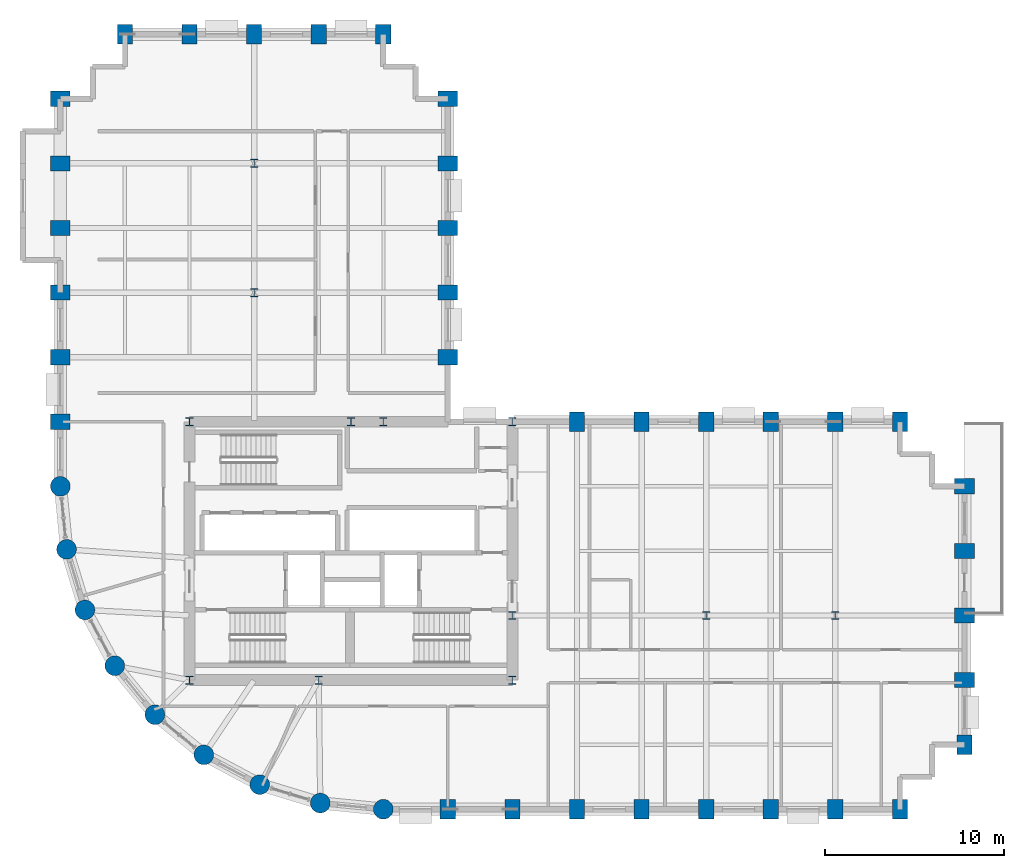
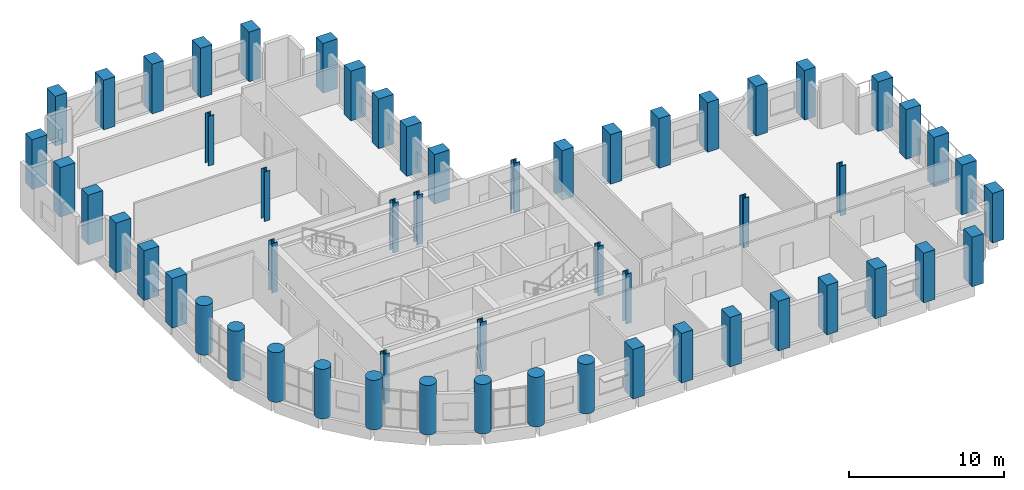
# One storey, part 1 of 13: 56 columns.
"""IFC4 building model written with IfcOpenShell, lengths in metres."""

from ifc_helpers import new_model, si_unit, direction, frame, origin, origin_2d, place, context, subcontext, project, spatial, rectangle, circle, i_section, extrude, material, material_profile, profile_set, type_object, element, save


model = new_model("IFC4")

# Units and contexts
model_context = context("Model", 3, precision=1e-05, world=origin(), true_north=direction((0.0, 1.0)))
body_context = subcontext(model_context, "Body", "Model", "MODEL_VIEW")
ifc_project = project(units=[si_unit("LENGTHUNIT", "METRE"), si_unit("AREAUNIT", "SQUARE_METRE"), si_unit("VOLUMEUNIT", "CUBIC_METRE"), si_unit("PLANEANGLEUNIT", "RADIAN"), si_unit("MASSUNIT", "GRAM", prefix="KILO")], contexts=[model_context])

# Site, building, storey
site_placement = place(None, origin())
site = spatial("IfcSite", under=ifc_project, at=site_placement, CompositionType="ELEMENT")
building_placement = place(site_placement, origin())
building = spatial("IfcBuilding", under=site, at=building_placement, Name="Solnavia Interchange Tower", CompositionType="ELEMENT")
storey_placement = place(building_placement, frame((0.0, 0.0, 87.89990234375)))
storey = spatial("IfcBuildingStorey", under=building, at=storey_placement, Name="L21", CompositionType="ELEMENT", Elevation=87.89990234375)

# Columns
ifc_material_1 = material(Name="Concrete C50/60", Category="concrete")
ifc_material_profile_1 = material_profile(ifc_material_1, rectangle(XDim=0.85009765625, YDim=1.10009765625, at=origin_2d()), Name="RC 1100x850")
ifc_profile_set_1 = profile_set([ifc_material_profile_1], Name="Concrete C50/60")
column_type_1 = type_object("IfcColumnType", Name="Col-RC-1100x850", PredefinedType="COLUMN", material=ifc_profile_set_1)
for number, where, z_axis, x_axis, name in (
    (1, (7.199951171875, 25.199951171875, 0.0), (0.0, 0.0, 1.0), (0.0, 1.0, 0.0), "COL-L21-02 Tower perim y column"),
    (2, (7.199951171875, 28.800048828125, 0.0), (0.0, 0.0, 1.0), (0.0, 1.0, 0.0), "COL-L21-03 Tower perim y column"),
    (3, (7.199951171875, 32.39990234375, 0.0), (0.0, 0.0, 1.0), (0.0, 1.0, 0.0), "COL-L21-04 Tower perim y column"),
    (4, (7.199951171875, 36.0, 0.0), (0.0, 0.0, 1.0), (0.0, 1.0, 0.0), "COL-L21-05 Tower perim y column"),
    (5, (7.199951171875, 39.60009765625, 0.0), (0.0, 0.0, 1.0), (0.0, 1.0, 0.0), "COL-L21-06 Tower perim y column"),
    (6, (7.199951171875, 43.199951171875, 0.0), (0.0, 0.0, 1.0), (0.0, 1.0, 0.0), "COL-L21-07 Tower corner column"),
    (7, (10.800048828125, 46.800048828125, 0.0), (0.0, 0.0, 1.0), (1.0, 0.0, 0.0), "COL-L21-11 Tower corner column"),
    (8, (14.39990234375, 46.800048828125, 0.0), (0.0, 0.0, 1.0), (1.0, 0.0, 0.0), "COL-L21-15 Tower perim x column"),
    (9, (18.0, 46.800048828125, 0.0), (0.0, 0.0, 1.0), (1.0, 0.0, 0.0), "COL-L21-19 Tower perim x column"),
    (10, (21.60009765625, 46.800048828125, 0.0), (0.0, 0.0, 1.0), (1.0, 0.0, 0.0), "COL-L21-22 Tower perim x column"),
    (11, (25.199951171875, 46.800048828125, 0.0), (0.0, 0.0, 1.0), (1.0, 0.0, 0.0), "COL-L21-27 Tower corner column"),
    (12, (28.800048828125, 3.60009765625, 0.0), (0.0, 0.0, 1.0), (1.0, 0.0, 0.0), "COL-L21-28 Tower perim x column"),
    (13, (28.800048828125, 28.800048828125, 0.0), (0.0, 0.0, 1.0), (0.0, 1.0, 0.0), "COL-L21-29 Tower perim y column"),
    (14, (28.800048828125, 32.39990234375, 0.0), (0.0, 0.0, 1.0), (0.0, 1.0, 0.0), "COL-L21-30 Tower perim y column"),
    (15, (28.800048828125, 36.0, 0.0), (0.0, 0.0, 1.0), (0.0, 1.0, 0.0), "COL-L21-31 Tower perim y column"),
    (16, (28.800048828125, 39.60009765625, 0.0), (0.0, 0.0, 1.0), (0.0, 1.0, 0.0), "COL-L21-32 Tower perim y column"),
    (17, (28.800048828125, 43.199951171875, 0.0), (0.0, 0.0, 1.0), (0.0, 1.0, 0.0), "COL-L21-33 Tower corner column"),
    (18, (32.39990234375, 3.60009765625, 0.0), (0.0, 0.0, 1.0), (1.0, 0.0, 0.0), "COL-L21-34 Tower perim x column"),
    (19, (36.0, 3.60009765625, 0.0), (0.0, 0.0, 1.0), (1.0, 0.0, 0.0), "COL-L21-38 Tower perim x column"),
    (20, (36.0, 25.199951171875, 0.0), (0.0, 0.0, 1.0), (1.0, 0.0, 0.0), "COL-L21-39 Tower perim x column"),
    (21, (39.60009765625, 3.60009765625, 0.0), (0.0, 0.0, 1.0), (1.0, 0.0, 0.0), "COL-L21-40 Tower perim x column"),
    (22, (39.60009765625, 25.199951171875, 0.0), (0.0, 0.0, 1.0), (1.0, 0.0, 0.0), "COL-L21-41 Tower perim x column"),
    (23, (43.199951171875, 3.60009765625, 0.0), (0.0, 0.0, 1.0), (1.0, 0.0, 0.0), "COL-L21-42 Tower perim x column"),
    (24, (43.199951171875, 25.199951171875, 0.0), (0.0, 0.0, 1.0), (1.0, 0.0, 0.0), "COL-L21-44 Tower perim x column"),
    (25, (46.800048828125, 3.60009765625, 0.0), (0.0, 0.0, 1.0), (1.0, 0.0, 0.0), "COL-L21-45 Tower perim x column"),
    (26, (46.800048828125, 25.199951171875, 0.0), (0.0, 0.0, 1.0), (1.0, 0.0, 0.0), "COL-L21-46 Tower perim x column"),
    (27, (50.39990234375, 3.60009765625, 0.0), (0.0, 0.0, 1.0), (1.0, 0.0, 0.0), "COL-L21-47 Tower perim x column"),
    (28, (50.39990234375, 25.199951171875, 0.0), (0.0, 0.0, 1.0), (1.0, 0.0, 0.0), "COL-L21-49 Tower perim x column"),
    (29, (54.0, 3.60009765625, 0.0), (0.0, 0.0, 1.0), (1.0, 0.0, 0.0), "COL-L21-50 Tower corner column"),
    (30, (54.0, 25.199951171875, 0.0), (0.0, 0.0, 1.0), (1.0, 0.0, 0.0), "COL-L21-51 Tower corner column"),
    (31, (57.60009765625, 7.199951171875, 0.0), (0.0, 0.0, 1.0), (1.0, 0.0, 0.0), "COL-L21-52 Tower corner column"),
    (32, (57.60009765625, 10.800048828125, 0.0), (0.0, 0.0, 1.0), (0.0, 1.0, 0.0), "COL-L21-53 Tower perim y column"),
    (33, (57.60009765625, 14.39990234375, 0.0), (0.0, 0.0, 1.0), (0.0, 1.0, 0.0), "COL-L21-54 Tower perim y column"),
    (34, (57.60009765625, 18.0, 0.0), (0.0, 0.0, 1.0), (0.0, 1.0, 0.0), "COL-L21-55 Tower perim y column"),
    (35, (57.60009765625, 21.60009765625, 0.0), (0.0, 0.0, 1.0), (0.0, 1.0, 0.0), "COL-L21-56 Tower corner column"),
):
    element("IfcColumn", number, at=place(storey_placement, frame(where, z_axis=z_axis, x_axis=x_axis)), inside=storey, type_object=column_type_1, Name=name, PredefinedType="COLUMN", context=body_context, shape_type="SweptSolid", body=[
        extrude(rectangle(XDim=0.85009765625, YDim=1.10009765625, at=origin_2d()), origin(), (0.0, 0.0, 1.0), 3.900146484375),
    ])
ifc_material_2 = material(Name="Concrete C60/75", Category="concrete")
ifc_material_profile_2 = material_profile(ifc_material_2, circle(Radius=0.550048828125, at=origin_2d()), Name="RC D1100")
ifc_profile_set_2 = profile_set([ifc_material_profile_2], Name="Concrete C60/75")
column_type_2 = type_object("IfcColumnType", Name="Col-RC-D1100", PredefinedType="COLUMN", material=ifc_profile_set_2)
for number, where, z_axis, x_axis, name in (
    (36, (7.199951171875, 21.60009765625, 0.0), (0.0, 0.0, 1.0), (1.0, 0.0, 0.0), "COL-L21-01 Tower drum column"),
    (37, (7.5458984375, 18.087890625, 0.0), (0.0, 0.0, 1.0), (1.0, 0.0, 0.0), "COL-L21-08 Tower drum column"),
    (38, (8.570068359375, 14.7119140625, 0.0), (0.0, 0.0, 1.0), (1.0, 0.0, 0.0), "COL-L21-09 Tower drum column"),
    (39, (10.23388671875, 11.60009765625, 0.0), (0.0, 0.0, 1.0), (1.0, 0.0, 0.0), "COL-L21-10 Tower drum column"),
    (40, (12.471923828125, 8.8720703125, 0.0), (0.0, 0.0, 1.0), (1.0, 0.0, 0.0), "COL-L21-12 Tower drum column"),
    (41, (15.199951171875, 6.634033203125, 0.0), (0.0, 0.0, 1.0), (1.0, 0.0, 0.0), "COL-L21-16 Tower drum column"),
    (42, (18.31201171875, 4.969970703125, 0.0), (0.0, 0.0, 1.0), (1.0, 0.0, 0.0), "COL-L21-20 Tower drum column"),
    (43, (21.68798828125, 3.946044921875, 0.0), (0.0, 0.0, 1.0), (1.0, 0.0, 0.0), "COL-L21-23 Tower drum column"),
    (44, (25.199951171875, 3.60009765625, 0.0), (0.0, 0.0, 1.0), (1.0, 0.0, 0.0), "COL-L21-25 Tower drum column"),
):
    element("IfcColumn", number, at=place(storey_placement, frame(where, z_axis=z_axis, x_axis=x_axis)), inside=storey, type_object=column_type_2, Name=name, PredefinedType="COLUMN", context=body_context, shape_type="SweptSolid", body=[
        extrude(circle(Radius=0.550048828125, at=origin_2d()), origin(), (0.0, 0.0, 1.0), 3.900146484375),
    ])
ifc_material_3 = material(Name="Steel S355", Category="steel")
ifc_material_profile_3 = material_profile(ifc_material_3, i_section(OverallWidth=0.424072265625, OverallDepth=0.467041015625, WebThickness=0.032958984375, FlangeThickness=0.053466796875, FilletRadius=0.014892578125, at=origin_2d()), Name="HD 400x509")
ifc_profile_set_3 = profile_set([ifc_material_profile_3], Name="Steel S355")
column_type_3 = type_object("IfcColumnType", Name="Col-Steel-HD400x509", PredefinedType="COLUMN", material=ifc_profile_set_3)
for number, where, z_axis, x_axis, name in (
    (45, (14.39990234375, 10.800048828125, 0.0), (0.0, 0.0, 1.0), (1.0, 0.0, 0.0), "COL-L21-13 Tower interior column"),
    (46, (14.39990234375, 25.199951171875, 0.0), (0.0, 0.0, 1.0), (1.0, 0.0, 0.0), "COL-L21-14 Tower interior column"),
    (47, (18.0, 32.39990234375, 0.0), (0.0, 0.0, 1.0), (1.0, 0.0, 0.0), "COL-L21-17 Tower interior column"),
    (48, (18.0, 39.60009765625, 0.0), (0.0, 0.0, 1.0), (1.0, 0.0, 0.0), "COL-L21-18 Tower interior column"),
    (49, (21.60009765625, 10.800048828125, 0.0), (0.0, 0.0, 1.0), (1.0, 0.0, 0.0), "COL-L21-21 Tower interior column"),
    (50, (23.39990234375, 25.199951171875, 0.0), (0.0, 0.0, 1.0), (1.0, 0.0, 0.0), "COL-L21-24 Tower interior column"),
    (51, (25.199951171875, 25.199951171875, 0.0), (0.0, 0.0, 1.0), (1.0, 0.0, 0.0), "COL-L21-26 Tower interior column"),
    (52, (32.39990234375, 10.800048828125, 0.0), (0.0, 0.0, 1.0), (1.0, 0.0, 0.0), "COL-L21-35 Tower interior column"),
    (53, (32.39990234375, 14.39990234375, 0.0), (0.0, 0.0, 1.0), (1.0, 0.0, 0.0), "COL-L21-36 Tower interior column"),
    (54, (32.39990234375, 25.199951171875, 0.0), (0.0, 0.0, 1.0), (1.0, 0.0, 0.0), "COL-L21-37 Tower interior column"),
    (55, (43.199951171875, 14.39990234375, 0.0), (0.0, 0.0, 1.0), (1.0, 0.0, 0.0), "COL-L21-43 Tower interior column"),
    (56, (50.39990234375, 14.39990234375, 0.0), (0.0, 0.0, 1.0), (1.0, 0.0, 0.0), "COL-L21-48 Tower interior column"),
):
    element("IfcColumn", number, at=place(storey_placement, frame(where, z_axis=z_axis, x_axis=x_axis)), inside=storey, type_object=column_type_3, Name=name, PredefinedType="COLUMN", context=body_context, shape_type="SweptSolid", body=[
        extrude(i_section(OverallWidth=0.424072265625, OverallDepth=0.467041015625, WebThickness=0.032958984375, FlangeThickness=0.053466796875, FilletRadius=0.014892578125, at=origin_2d()), origin(), (0.0, 0.0, 1.0), 3.900146484375),
    ])

save(model, "model.ifc")
